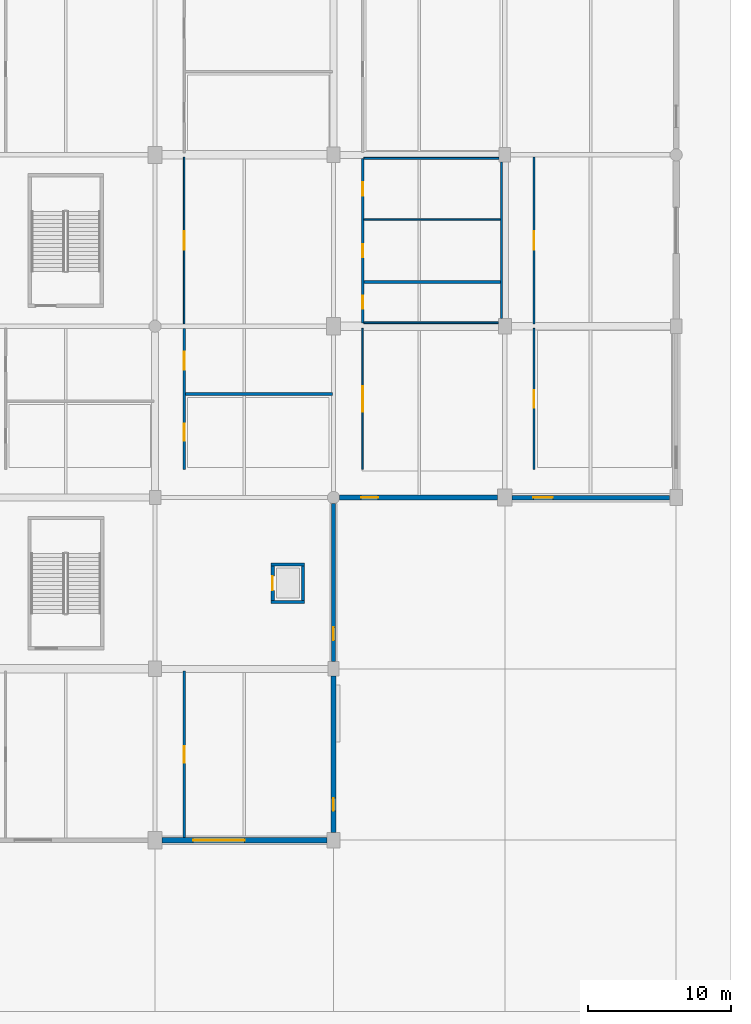
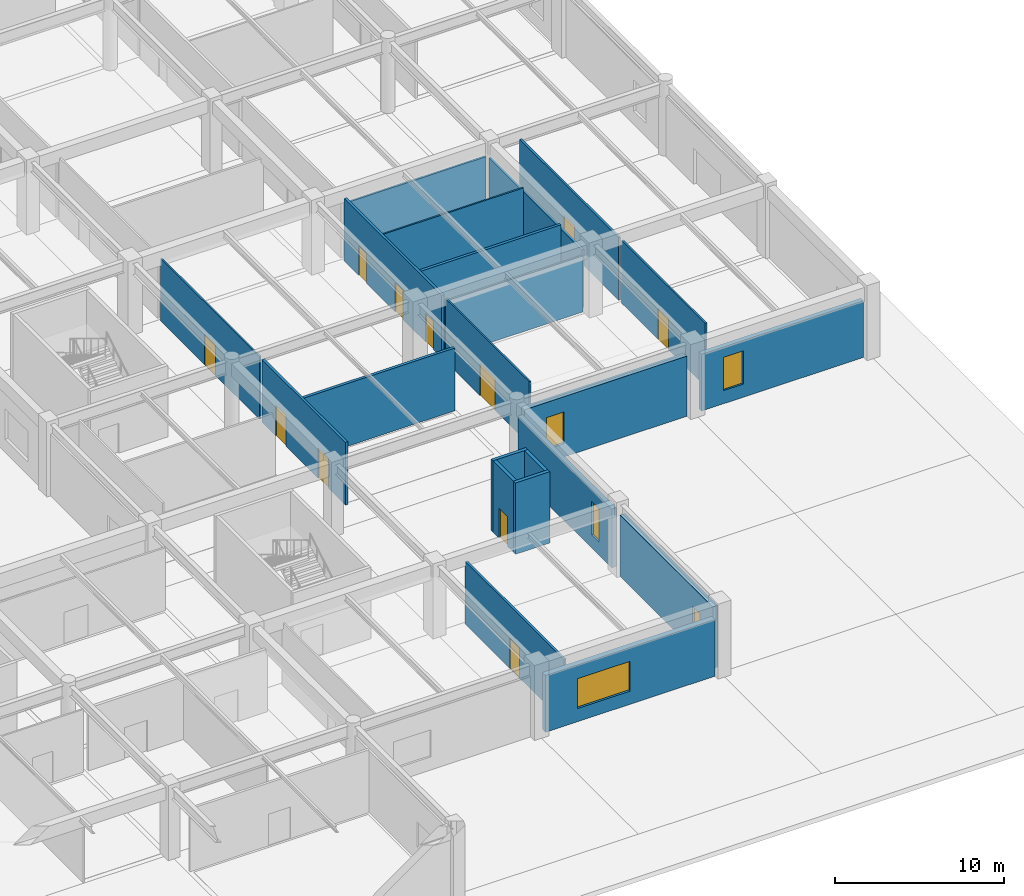
# One storey, part 24 of 69: 22 walls, 11 doors, 5 windows, 16 openings.
"""IFC4 building model written with IfcOpenShell, lengths in metres."""

from ifc_helpers import new_model, si_unit, direction, frame, frame_2d, origin, place, context, subcontext, project, spatial, rectangle, extrude, material, layer, layer_set, type_object, element, fill, save


model = new_model("IFC4")

# Units and contexts
model_context = context("Model", 3, precision=1e-05, world=origin(), true_north=direction((0.0, 1.0)))
body_context = subcontext(model_context, "Body", "Model", "MODEL_VIEW")
ifc_project = project(units=[si_unit("LENGTHUNIT", "METRE"), si_unit("AREAUNIT", "SQUARE_METRE"), si_unit("VOLUMEUNIT", "CUBIC_METRE"), si_unit("PLANEANGLEUNIT", "RADIAN"), si_unit("MASSUNIT", "GRAM", prefix="KILO")], contexts=[model_context])

# Site, building, storey
site_placement = place(None, origin())
site = spatial("IfcSite", under=ifc_project, at=site_placement, CompositionType="ELEMENT")
building_placement = place(site_placement, origin())
building = spatial("IfcBuilding", under=site, at=building_placement, Name="Kazenohara Klinker Stadium", CompositionType="ELEMENT")
storey_placement = place(building_placement, origin())
storey = spatial("IfcBuildingStorey", under=building, at=storey_placement, Name="L00", CompositionType="ELEMENT", Elevation=0.0)

# Walls
ifc_material_1 = material(Name="Concrete C40/50", Category="concrete")
ifc_layer_1 = layer(ifc_material_1, 0.22998046875)
ifc_layer_set_1 = layer_set([ifc_layer_1], Name="Concrete C40/50")
wall_type_1 = type_object("IfcWallType", Name="WAL-CORE-230", PredefinedType="SHEAR", material=ifc_layer_set_1)
for number, where, z_axis, x_axis, name in (
    (1, (195.6201171875, 28.68505859375, 0.0), (0.0, 0.0, 1.0), (1.0, 0.0, 0.0), "Elevator shaft wall LP06 L00 South"),
    (2, (195.6201171875, 31.31494140625, 0.0), (0.0, 0.0, 1.0), (1.0, 0.0, 0.0), "Elevator shaft wall LP06 L00 North"),
):
    element("IfcWall", number, at=place(storey_placement, frame(where, z_axis=z_axis, x_axis=x_axis)), inside=storey, type_object=wall_type_1, Name=name, PredefinedType="SHEAR", context=body_context, shape_type="SweptSolid", body=[
        extrude(rectangle(XDim=2.35986328125, YDim=0.22998046875, at=frame_2d((1.179931640625, 0.0))), origin(), (0.0, 0.0, 1.0), 5.139892578125),
    ])

# Wall, opening, door
wall_1_placement = place(storey_placement, frame((195.735107421875, 28.800048828125, 0.0), z_axis=(0.0, 0.0, 1.0), x_axis=(0.0, 1.0, 0.0)))
wall_1 = element("IfcWall", 3, at=wall_1_placement, inside=storey, type_object=wall_type_1, Name="Elevator shaft wall LP06 L00 West", PredefinedType="SHEAR", context=body_context, shape_type="SweptSolid", body=[
    extrude(rectangle(XDim=2.39990234375, YDim=0.22998046875, at=frame_2d((1.199951171875, 0.0))), origin(), (0.0, 0.0, 1.0), 5.139892578125),
])
opening_1_placement = place(wall_1_placement, frame((0.699951171875, 0.0, 0.0)))
opening_1 = element("IfcOpeningElement", 4, at=opening_1_placement, cuts=wall_1, Name="Opening LD02", PredefinedType="OPENING", context=body_context, shape_type="SweptSolid", body=[
    extrude(rectangle(XDim=1.0, YDim=2.14990234375, at=frame_2d((0.5, 1.074951171875))), frame((0.0, 0.125, 0.0), z_axis=(0.0, -1.0, 0.0), x_axis=(1.0, 0.0, 0.0)), (0.0, 0.0, 1.0), 0.25),
])
ifc_material_2 = material(Name="Stainless steel sliding landing door", Category="steel")
door_type_1 = type_object("IfcDoorType", Name="DR-LD02-1000x2150", OperationType="NOTDEFINED", PredefinedType="DOOR", material=ifc_material_2)
door_1_placement = place(opening_1_placement, origin())
door_1 = element("IfcDoor", 5, at=door_1_placement, inside=storey, type_object=door_type_1, Name="Elevator sliding landing door LP06-L00", OperationType="DOUBLE_DOOR_SLIDING", OverallHeight=2.14990234375, OverallWidth=1.0, PredefinedType="DOOR", context=body_context, shape_type="SweptSolid", body=[
    extrude(rectangle(XDim=1.0, YDim=2.14990234375, at=frame_2d((0.5, 1.074951171875))), frame((0.0, 0.02490234375, 0.0), z_axis=(0.0, -1.0, 0.0), x_axis=(1.0, 0.0, 0.0)), (0.0, 0.0, 1.0), 0.050048828125),
])
fill(opening_1, door_1)

# Wall
wall_2_placement = place(storey_placement, frame((197.864990234375, 28.800048828125, 0.0), z_axis=(0.0, 0.0, 1.0), x_axis=(0.0, 1.0, 0.0)))
element("IfcWall", 6, at=wall_2_placement, inside=storey, type_object=wall_type_1, Name="Elevator shaft wall LP06 L00 East", PredefinedType="SHEAR", context=body_context, shape_type="SweptSolid", body=[
    extrude(rectangle(XDim=2.39990234375, YDim=0.22998046875, at=frame_2d((1.199951171875, 0.0))), origin(), (0.0, 0.0, 1.0), 5.139892578125),
])

# Wall, opening, window
ifc_material_3 = material(Name="Clinker brick masonry", Category="masonry")
ifc_layer_2 = layer(ifc_material_3, 0.31005859375)
ifc_layer_set_2 = layer_set([ifc_layer_2], Name="Clinker brick masonry")
wall_type_2 = type_object("IfcWallType", Name="WAL-EXT-CB310", PredefinedType="SOLIDWALL", material=ifc_layer_set_2)
wall_3_placement = place(storey_placement, frame((200.0, 24.50390625, 0.0), z_axis=(0.0, 0.0, 1.0), x_axis=(0.0, 1.0, 0.0)))
wall_3 = element("IfcWall", 7, at=wall_3_placement, inside=storey, type_object=wall_type_2, Name="Clinker brick cavity wall EW05 L00 Y16-2", PredefinedType="SOLIDWALL", context=body_context, shape_type="SweptSolid", body=[
    extrude(rectangle(XDim=11.067138671875, YDim=0.31005859375, at=frame_2d((5.53369140625, 0.0))), origin(), (0.0, 0.0, 1.0), 4.239990234375),
])
opening_2_placement = place(wall_3_placement, frame((1.5, 0.0, 0.949951171875)))
opening_2 = element("IfcOpeningElement", 8, at=opening_2_placement, cuts=wall_3, Name="Opening W02", PredefinedType="OPENING", context=body_context, shape_type="SweptSolid", body=[
    extrude(rectangle(XDim=0.89990234375, YDim=2.39990234375, at=frame_2d((0.449951171875, 1.199951171875))), frame((0.0, 0.1650390625, 0.0), z_axis=(0.0, -1.0, 0.0), x_axis=(1.0, 0.0, 0.0)), (0.0, 0.0, 1.0), 0.330078125),
])
ifc_material_4 = material(Name="Dark bronze aluminium frame and triple glazing", Category="aluminium")
window_type_1 = type_object("IfcWindowType", Name="WIN-AS-02", PartitioningType="SINGLE_PANEL", PredefinedType="WINDOW", material=ifc_material_4)
window_1_placement = place(opening_2_placement, origin())
window_1 = element("IfcWindow", 9, at=window_1_placement, inside=storey, type_object=window_type_1, Name="Horizontal-mullion ladder window W02 L00 Y16-2", OverallHeight=2.39990234375, OverallWidth=0.89990234375, PartitioningType="SINGLE_PANEL", PredefinedType="WINDOW", context=body_context, shape_type="SweptSolid", body=[
    extrude(rectangle(XDim=0.89990234375, YDim=2.39990234375, at=frame_2d((0.449951171875, 1.199951171875))), frame((0.0, 0.030029296875, 0.0), z_axis=(0.0, -1.0, 0.0), x_axis=(1.0, 0.0, 0.0)), (0.0, 0.0, 1.0), 0.06005859375),
])
fill(opening_2, window_1)

wall_4_placement = place(storey_placement, frame((212.50390625, 36.0, 0.0), z_axis=(0.0, 0.0, 1.0), x_axis=(1.0, 0.0, 0.0)))
wall_4 = element("IfcWall", 10, at=wall_4_placement, inside=storey, type_object=wall_type_2, Name="Clinker brick cavity wall EW05 L00 X17-3", PredefinedType="SOLIDWALL", context=body_context, shape_type="SweptSolid", body=[
    extrude(rectangle(XDim=11.0419921875, YDim=0.31005859375, at=frame_2d((5.52099609375, 0.0))), origin(), (0.0, 0.0, 1.0), 4.090087890625),
])
opening_3_placement = place(wall_4_placement, frame((1.5, 0.0, 0.949951171875)))
opening_3 = element("IfcOpeningElement", 11, at=opening_3_placement, cuts=wall_4, Name="Opening W08", PredefinedType="OPENING", context=body_context, shape_type="SweptSolid", body=[
    extrude(rectangle(XDim=1.35009765625, YDim=2.39990234375, at=frame_2d((0.675048828125, 1.199951171875))), frame((0.0, 0.1650390625, 0.0), z_axis=(0.0, -1.0, 0.0), x_axis=(1.0, 0.0, 0.0)), (0.0, 0.0, 1.0), 0.330078125),
])
window_type_2 = type_object("IfcWindowType", Name="WIN-AS-08", PartitioningType="SINGLE_PANEL", PredefinedType="WINDOW", material=ifc_material_4)
window_2_placement = place(opening_3_placement, origin())
window_2 = element("IfcWindow", 12, at=window_2_placement, inside=storey, type_object=window_type_2, Name="Horizontal-mullion ladder window W08 L00 X17-3", OverallHeight=2.39990234375, OverallWidth=1.35009765625, PartitioningType="SINGLE_PANEL", PredefinedType="WINDOW", context=body_context, shape_type="SweptSolid", body=[
    extrude(rectangle(XDim=1.35009765625, YDim=2.39990234375, at=frame_2d((0.675048828125, 1.199951171875))), frame((0.0, 0.030029296875, 0.0), z_axis=(0.0, -1.0, 0.0), x_axis=(1.0, 0.0, 0.0)), (0.0, 0.0, 1.0), 0.06005859375),
])
fill(opening_3, window_2)

ifc_layer_3 = layer(ifc_material_3, 0.340087890625)
ifc_layer_set_3 = layer_set([ifc_layer_3], Name="Clinker brick masonry")
wall_type_3 = type_object("IfcWallType", Name="WAL-EXT-CB340", PredefinedType="SOLIDWALL", material=ifc_layer_set_3)
wall_5_placement = place(storey_placement, frame((200.0, 12.553955078125, 0.0), z_axis=(0.0, 0.0, 1.0), x_axis=(0.0, 1.0, 0.0)))
wall_5 = element("IfcWall", 13, at=wall_5_placement, inside=storey, type_object=wall_type_3, Name="Clinker brick cavity wall EW04 L00 Y16-1", PredefinedType="SOLIDWALL", context=body_context, shape_type="SweptSolid", body=[
    extrude(rectangle(XDim=10.942138671875, YDim=0.340087890625, at=frame_2d((5.47119140625, 0.0))), origin(), (0.0, 0.0, 1.0), 4.43994140625),
])
opening_4_placement = place(wall_5_placement, frame((1.5, 0.0, 0.949951171875)))
opening_4 = element("IfcOpeningElement", 14, at=opening_4_placement, cuts=wall_5, Name="Opening W01", PredefinedType="OPENING", context=body_context, shape_type="SweptSolid", body=[
    extrude(rectangle(XDim=0.89990234375, YDim=2.10009765625, at=frame_2d((0.449951171875, 1.050048828125))), frame((0.0, 0.18017578125, 0.0), z_axis=(0.0, -1.0, 0.0), x_axis=(1.0, 0.0, 0.0)), (0.0, 0.0, 1.0), 0.360107421875),
])
window_type_3 = type_object("IfcWindowType", Name="WIN-AS-01", PartitioningType="SINGLE_PANEL", PredefinedType="WINDOW", material=ifc_material_4)
window_3_placement = place(opening_4_placement, origin())
window_3 = element("IfcWindow", 15, at=window_3_placement, inside=storey, type_object=window_type_3, Name="Horizontal-mullion ladder window W01 L00 Y16-1", OverallHeight=2.10009765625, OverallWidth=0.89990234375, PartitioningType="SINGLE_PANEL", PredefinedType="WINDOW", context=body_context, shape_type="SweptSolid", body=[
    extrude(rectangle(XDim=0.89990234375, YDim=2.10009765625, at=frame_2d((0.449951171875, 1.050048828125))), frame((0.0, 0.030029296875, 0.0), z_axis=(0.0, -1.0, 0.0), x_axis=(1.0, 0.0, 0.0)), (0.0, 0.0, 1.0), 0.06005859375),
])
fill(opening_4, window_3)

ifc_layer_4 = layer(ifc_material_3, 0.3701171875)
ifc_layer_set_4 = layer_set([ifc_layer_4], Name="Clinker brick masonry")
wall_type_4 = type_object("IfcWallType", Name="WAL-EXT-CB370", PredefinedType="SOLIDWALL", material=ifc_layer_set_4)
wall_6_placement = place(storey_placement, frame((188.00390625, 12.0, 0.0), z_axis=(0.0, 0.0, 1.0), x_axis=(1.0, 0.0, 0.0)))
wall_6 = element("IfcWall", 16, at=wall_6_placement, inside=storey, type_object=wall_type_4, Name="Clinker brick cavity wall EW03 L00 X15-1", PredefinedType="SOLIDWALL", context=body_context, shape_type="SweptSolid", body=[
    extrude(rectangle(XDim=11.5419921875, YDim=0.3701171875, at=frame_2d((5.77099609375, 0.0))), origin(), (0.0, 0.0, 1.0), 4.090087890625),
])
opening_5_placement = place(wall_6_placement, frame((2.166015625, 0.0, 0.949951171875)))
opening_5 = element("IfcOpeningElement", 17, at=opening_5_placement, cuts=wall_6, Name="Opening W36", PredefinedType="OPENING", context=body_context, shape_type="SweptSolid", body=[
    extrude(rectangle(XDim=3.60009765625, YDim=2.14990234375, at=frame_2d((1.800048828125, 1.074951171875))), frame((0.0, 0.195068359375, 0.0), z_axis=(0.0, -1.0, 0.0), x_axis=(1.0, 0.0, 0.0)), (0.0, 0.0, 1.0), 0.39013671875),
])
window_type_4 = type_object("IfcWindowType", Name="WIN-AS-36", PartitioningType="SINGLE_PANEL", PredefinedType="WINDOW", material=ifc_material_4)
window_4_placement = place(opening_5_placement, origin())
window_4 = element("IfcWindow", 18, at=window_4_placement, inside=storey, type_object=window_type_4, Name="Horizontal-mullion ladder window W36 L00 X15-1", OverallHeight=2.14990234375, OverallWidth=3.60009765625, PartitioningType="SINGLE_PANEL", PredefinedType="WINDOW", context=body_context, shape_type="SweptSolid", body=[
    extrude(rectangle(XDim=3.60009765625, YDim=2.14990234375, at=frame_2d((1.800048828125, 1.074951171875))), frame((0.0, 0.030029296875, 0.0), z_axis=(0.0, -1.0, 0.0), x_axis=(1.0, 0.0, 0.0)), (0.0, 0.0, 1.0), 0.06005859375),
])
fill(opening_5, window_4)

wall_7_placement = place(storey_placement, frame((200.428955078125, 36.0, 0.0), z_axis=(0.0, 0.0, 1.0), x_axis=(1.0, 0.0, 0.0)))
wall_7 = element("IfcWall", 19, at=wall_7_placement, inside=storey, type_object=wall_type_4, Name="Clinker brick cavity wall EW03 L00 X16-3", PredefinedType="SOLIDWALL", context=body_context, shape_type="SweptSolid", body=[
    extrude(rectangle(XDim=11.067138671875, YDim=0.3701171875, at=frame_2d((5.53369140625, 0.0))), origin(), (0.0, 0.0, 1.0), 4.340087890625),
])
opening_6_placement = place(wall_7_placement, frame((1.5, 0.0, 0.949951171875)))
opening_6 = element("IfcOpeningElement", 20, at=opening_6_placement, cuts=wall_7, Name="Opening W06", PredefinedType="OPENING", context=body_context, shape_type="SweptSolid", body=[
    extrude(rectangle(XDim=1.199951171875, YDim=2.300048828125, at=frame_2d((0.60009765625, 1.14990234375))), frame((0.0, 0.195068359375, 0.0), z_axis=(0.0, -1.0, 0.0), x_axis=(1.0, 0.0, 0.0)), (0.0, 0.0, 1.0), 0.39013671875),
])
window_type_5 = type_object("IfcWindowType", Name="WIN-AS-06", PartitioningType="SINGLE_PANEL", PredefinedType="WINDOW", material=ifc_material_4)
window_5_placement = place(opening_6_placement, origin())
window_5 = element("IfcWindow", 21, at=window_5_placement, inside=storey, type_object=window_type_5, Name="Horizontal-mullion ladder window W06 L00 X16-3", OverallHeight=2.300048828125, OverallWidth=1.199951171875, PartitioningType="SINGLE_PANEL", PredefinedType="WINDOW", context=body_context, shape_type="SweptSolid", body=[
    extrude(rectangle(XDim=1.199951171875, YDim=2.300048828125, at=frame_2d((0.60009765625, 1.14990234375))), frame((0.0, 0.030029296875, 0.0), z_axis=(0.0, -1.0, 0.0), x_axis=(1.0, 0.0, 0.0)), (0.0, 0.0, 1.0), 0.06005859375),
])
fill(opening_6, window_5)

# Wall, opening, door
ifc_material_5 = material(Name="Fire-rated gypsum board on acoustic studs", Category="gypsum")
ifc_layer_5 = layer(ifc_material_5, 0.110107421875)
ifc_layer_set_5 = layer_set([ifc_layer_5], Name="Fire-rated gypsum board on acoustic studs")
wall_type_5 = type_object("IfcWallType", Name="WAL-INT-P110", PredefinedType="PARTITIONING", material=ifc_layer_set_5)
wall_8_placement = place(storey_placement, frame((189.5400390625, 48.159912109375, 0.0), z_axis=(0.0, 0.0, 1.0), x_axis=(0.0, 1.0, 0.0)))
wall_8 = element("IfcWall", 22, at=wall_8_placement, inside=storey, type_object=wall_type_5, Name="Interior partition wall PT01 SPC-L00-15-04-1-1", PredefinedType="PARTITIONING", context=body_context, shape_type="SweptSolid", body=[
    extrude(rectangle(XDim=11.68017578125, YDim=0.110107421875, at=frame_2d((5.840087890625, 0.0))), origin(), (0.0, 0.0, 1.0), 4.52001953125),
])
opening_7_placement = place(wall_8_placement, frame((6.47509765625, 0.0, 0.0), z_axis=(0.0, 0.0, 1.0), x_axis=(-1.0, 0.0, 0.0)))
opening_7 = element("IfcOpeningElement", 23, at=opening_7_placement, cuts=wall_8, Name="Opening ID14", PredefinedType="OPENING", context=body_context, shape_type="SweptSolid", body=[
    extrude(rectangle(XDim=1.27001953125, YDim=2.199951171875, at=frame_2d((0.635009765625, 1.10009765625))), frame((0.0, 0.06494140625, 0.0), z_axis=(0.0, -1.0, 0.0), x_axis=(1.0, 0.0, 0.0)), (0.0, 0.0, 1.0), 0.130126953125),
])
ifc_material_6 = material(Name="Solid-core Hokkaido oak fire door", Category="wood")
door_type_2 = type_object("IfcDoorType", Name="DR-INT-14", OperationType="NOTDEFINED", PredefinedType="DOOR", material=ifc_material_6)
door_2_placement = place(opening_7_placement, origin())
door_2 = element("IfcDoor", 24, at=door_2_placement, inside=storey, type_object=door_type_2, Name="Interior door ID14 Supporter Merchandising Retail Shop L00-1504A", OperationType="SINGLE_SWING_LEFT", OverallHeight=2.199951171875, OverallWidth=1.27001953125, PredefinedType="DOOR", context=body_context, shape_type="SweptSolid", body=[
    extrude(rectangle(XDim=1.27001953125, YDim=2.199951171875, at=frame_2d((0.635009765625, 1.10009765625))), frame((0.0, 0.02490234375, 0.0), z_axis=(0.0, -1.0, 0.0), x_axis=(1.0, 0.0, 0.0)), (0.0, 0.0, 1.0), 0.050048828125),
])
fill(opening_7, door_2)

wall_9_placement = place(storey_placement, frame((202.0400390625, 37.969970703125, 0.0), z_axis=(0.0, 0.0, 1.0), x_axis=(0.0, 1.0, 0.0)))
wall_9 = element("IfcWall", 25, at=wall_9_placement, inside=storey, type_object=wall_type_5, Name="Interior partition wall PT01 SPC-L00-16-03-1-1", PredefinedType="PARTITIONING", context=body_context, shape_type="SweptSolid", body=[
    extrude(rectangle(XDim=9.8701171875, YDim=0.110107421875, at=frame_2d((4.93505859375, 0.0))), origin(), (0.0, 0.0, 1.0), 4.52001953125),
])
opening_8_placement = place(wall_9_placement, frame((5.81494140625, 0.0, 0.0), z_axis=(0.0, 0.0, 1.0), x_axis=(-1.0, 0.0, 0.0)))
opening_8 = element("IfcOpeningElement", 26, at=opening_8_placement, cuts=wall_9, Name="Opening ID26", PredefinedType="OPENING", context=body_context, shape_type="SweptSolid", body=[
    extrude(rectangle(XDim=1.760009765625, YDim=2.300048828125, at=frame_2d((0.8798828125, 1.14990234375))), frame((0.0, 0.06494140625, 0.0), z_axis=(0.0, -1.0, 0.0), x_axis=(1.0, 0.0, 0.0)), (0.0, 0.0, 1.0), 0.130126953125),
])
ifc_material_7 = material(Name="Painted steel plant fire door", Category="steel")
door_type_3 = type_object("IfcDoorType", Name="DR-INT-26", OperationType="NOTDEFINED", PredefinedType="DOOR", material=ifc_material_7)
door_3_placement = place(opening_8_placement, origin())
door_3 = element("IfcDoor", 27, at=door_3_placement, inside=storey, type_object=door_type_3, Name="Interior door ID26 Civic Stadium Heritage Museum Exhibition Gallery L00-1603A", OperationType="SINGLE_SWING_LEFT", OverallHeight=2.300048828125, OverallWidth=1.760009765625, PredefinedType="DOOR", context=body_context, shape_type="SweptSolid", body=[
    extrude(rectangle(XDim=1.760009765625, YDim=2.300048828125, at=frame_2d((0.8798828125, 1.14990234375))), frame((0.0, 0.02490234375, 0.0), z_axis=(0.0, -1.0, 0.0), x_axis=(1.0, 0.0, 0.0)), (0.0, 0.0, 1.0), 0.050048828125),
])
fill(opening_8, door_3)

# Walls
wall_10_placement = place(storey_placement, frame((202.1298828125, 55.461181640625, 0.0), z_axis=(0.0, 0.0, 1.0), x_axis=(1.0, 0.0, 0.0)))
element("IfcWall", 28, at=wall_10_placement, inside=storey, type_object=wall_type_5, Name="Interior partition wall PT01 SPC-L00-16-04-1-6", PredefinedType="PARTITIONING", context=body_context, shape_type="SweptSolid", body=[
    extrude(rectangle(XDim=9.550048828125, YDim=0.110107421875, at=frame_2d((4.77490234375, 0.0))), origin(), (0.0, 0.0, 1.0), 4.52001953125),
])
ifc_layer_6 = layer(ifc_material_5, 0.1201171875)
ifc_layer_set_6 = layer_set([ifc_layer_6], Name="Fire-rated gypsum board on acoustic studs")
wall_type_6 = type_object("IfcWallType", Name="WAL-INT-P120", PredefinedType="PARTITIONING", material=ifc_layer_set_6)
wall_11_placement = place(storey_placement, frame((202.1298828125, 48.239990234375, 0.0), z_axis=(0.0, 0.0, 1.0), x_axis=(1.0, 0.0, 0.0)))
element("IfcWall", 29, at=wall_11_placement, inside=storey, type_object=wall_type_6, Name="Interior partition wall PT02 SPC-L00-16-04-1-1", PredefinedType="PARTITIONING", context=body_context, shape_type="SweptSolid", body=[
    extrude(rectangle(XDim=9.416015625, YDim=0.1201171875, at=frame_2d((4.7080078125, 0.0))), origin(), (0.0, 0.0, 1.0), 4.050048828125),
])

# Wall, opening, door
wall_12_placement = place(storey_placement, frame((214.0400390625, 37.969970703125, 0.0), z_axis=(0.0, 0.0, 1.0), x_axis=(0.0, 1.0, 0.0)))
wall_12 = element("IfcWall", 30, at=wall_12_placement, inside=storey, type_object=wall_type_6, Name="Interior partition wall PT02 SPC-L00-17-03-1-1", PredefinedType="PARTITIONING", context=body_context, shape_type="SweptSolid", body=[
    extrude(rectangle(XDim=9.8701171875, YDim=0.1201171875, at=frame_2d((4.93505859375, 0.0))), origin(), (0.0, 0.0, 1.0), 4.52001953125),
])
opening_9_placement = place(wall_12_placement, frame((5.554931640625, 0.0, 0.0), z_axis=(0.0, 0.0, 1.0), x_axis=(-1.0, 0.0, 0.0)))
opening_9 = element("IfcOpeningElement", 31, at=opening_9_placement, cuts=wall_12, Name="Opening ID13", PredefinedType="OPENING", context=body_context, shape_type="SweptSolid", body=[
    extrude(rectangle(XDim=1.239990234375, YDim=2.219970703125, at=frame_2d((0.6201171875, 1.10986328125))), frame((0.0, 0.070068359375, 0.0), z_axis=(0.0, -1.0, 0.0), x_axis=(1.0, 0.0, 0.0)), (0.0, 0.0, 1.0), 0.14013671875),
])
door_type_4 = type_object("IfcDoorType", Name="DR-INT-13", OperationType="NOTDEFINED", PredefinedType="DOOR", material=ifc_material_6)
door_4_placement = place(opening_9_placement, origin())
door_4 = element("IfcDoor", 32, at=door_4_placement, inside=storey, type_object=door_type_4, Name="Interior door ID13 Spectator First-Aid Medical Clinic L00-1703A", OperationType="SINGLE_SWING_RIGHT", OverallHeight=2.219970703125, OverallWidth=1.239990234375, PredefinedType="DOOR", context=body_context, shape_type="SweptSolid", body=[
    extrude(rectangle(XDim=1.239990234375, YDim=2.219970703125, at=frame_2d((0.6201171875, 1.10986328125))), frame((0.0, 0.02490234375, 0.0), z_axis=(0.0, -1.0, 0.0), x_axis=(1.0, 0.0, 0.0)), (0.0, 0.0, 1.0), 0.050048828125),
])
fill(opening_9, door_4)

# Wall
ifc_layer_7 = layer(ifc_material_5, 0.139892578125)
ifc_layer_set_7 = layer_set([ifc_layer_7], Name="Fire-rated gypsum board on acoustic studs")
wall_type_7 = type_object("IfcWallType", Name="WAL-INT-P140", PredefinedType="PARTITIONING", material=ifc_layer_set_7)
wall_13_placement = place(storey_placement, frame((202.1298828125, 59.760009765625, 0.0), z_axis=(0.0, 0.0, 1.0), x_axis=(1.0, 0.0, 0.0)))
element("IfcWall", 33, at=wall_13_placement, inside=storey, type_object=wall_type_7, Name="Interior partition wall PT03 SPC-L00-16-04-1-2", PredefinedType="PARTITIONING", context=body_context, shape_type="SweptSolid", body=[
    extrude(rectangle(XDim=9.466064453125, YDim=0.139892578125, at=frame_2d((4.73291015625, 0.0))), origin(), (0.0, 0.0, 1.0), 4.199951171875),
])

# Wall, opening, door
wall_14_placement = place(storey_placement, frame((214.0400390625, 48.159912109375, 0.0), z_axis=(0.0, 0.0, 1.0), x_axis=(0.0, 1.0, 0.0)))
wall_14 = element("IfcWall", 34, at=wall_14_placement, inside=storey, type_object=wall_type_7, Name="Interior partition wall PT03 SPC-L00-17-04-1-1", PredefinedType="PARTITIONING", context=body_context, shape_type="SweptSolid", body=[
    extrude(rectangle(XDim=11.68017578125, YDim=0.139892578125, at=frame_2d((5.840087890625, 0.0))), origin(), (0.0, 0.0, 1.0), 4.52001953125),
])
opening_10_placement = place(wall_14_placement, frame((6.47509765625, 0.0, 0.0), z_axis=(0.0, 0.0, 1.0), x_axis=(-1.0, 0.0, 0.0)))
opening_10 = element("IfcOpeningElement", 35, at=opening_10_placement, cuts=wall_14, Name="Opening ID14", PredefinedType="OPENING", context=body_context, shape_type="SweptSolid", body=[
    extrude(rectangle(XDim=1.27001953125, YDim=2.199951171875, at=frame_2d((0.635009765625, 1.10009765625))), frame((0.0, 0.080078125, 0.0), z_axis=(0.0, -1.0, 0.0), x_axis=(1.0, 0.0, 0.0)), (0.0, 0.0, 1.0), 0.159912109375),
])
door_5_placement = place(opening_10_placement, origin())
door_5 = element("IfcDoor", 36, at=door_5_placement, inside=storey, type_object=door_type_2, Name="Interior door ID14 Civic Stadium Heritage Museum Exhibition Gallery L00-1704A", OperationType="SINGLE_SWING_LEFT", OverallHeight=2.199951171875, OverallWidth=1.27001953125, PredefinedType="DOOR", context=body_context, shape_type="SweptSolid", body=[
    extrude(rectangle(XDim=1.27001953125, YDim=2.199951171875, at=frame_2d((0.635009765625, 1.10009765625))), frame((0.0, 0.02490234375, 0.0), z_axis=(0.0, -1.0, 0.0), x_axis=(1.0, 0.0, 0.0)), (0.0, 0.0, 1.0), 0.050048828125),
])
fill(opening_10, door_5)

ifc_layer_8 = layer(ifc_material_5, 0.14990234375)
ifc_layer_set_8 = layer_set([ifc_layer_8], Name="Fire-rated gypsum board on acoustic studs")
wall_type_8 = type_object("IfcWallType", Name="WAL-INT-P150", PredefinedType="PARTITIONING", material=ifc_layer_set_8)
wall_15_placement = place(storey_placement, frame((189.5400390625, 12.18701171875, 0.0), z_axis=(0.0, 0.0, 1.0), x_axis=(0.0, 1.0, 0.0)))
wall_15 = element("IfcWall", 37, at=wall_15_placement, inside=storey, type_object=wall_type_8, Name="Interior partition wall PT04 SPC-L00-15-01-1-1", PredefinedType="PARTITIONING", context=body_context, shape_type="SweptSolid", body=[
    extrude(rectangle(XDim=11.653076171875, YDim=0.14990234375, at=frame_2d((5.82666015625, 0.0))), origin(), (0.0, 0.0, 1.0), 4.52001953125),
])
opening_11_placement = place(wall_15_placement, frame((6.40283203125, 0.0, 0.0), z_axis=(0.0, 0.0, 1.0), x_axis=(-1.0, 0.0, 0.0)))
opening_11 = element("IfcOpeningElement", 38, at=opening_11_placement, cuts=wall_15, Name="Opening ID11", PredefinedType="OPENING", context=body_context, shape_type="SweptSolid", body=[
    extrude(rectangle(XDim=1.179931640625, YDim=2.199951171875, at=frame_2d((0.58984375, 1.10009765625))), frame((0.0, 0.0849609375, 0.0), z_axis=(0.0, -1.0, 0.0), x_axis=(1.0, 0.0, 0.0)), (0.0, 0.0, 1.0), 0.169921875),
])
door_type_5 = type_object("IfcDoorType", Name="DR-INT-11", OperationType="NOTDEFINED", PredefinedType="DOOR", material=ifc_material_6)
door_6_placement = place(opening_11_placement, origin())
door_6 = element("IfcDoor", 39, at=door_6_placement, inside=storey, type_object=door_type_5, Name="Interior door ID11 Spectator First-Aid Medical Clinic L00-1501A", OperationType="SINGLE_SWING_RIGHT", OverallHeight=2.199951171875, OverallWidth=1.179931640625, PredefinedType="DOOR", context=body_context, shape_type="SweptSolid", body=[
    extrude(rectangle(XDim=1.179931640625, YDim=2.199951171875, at=frame_2d((0.58984375, 1.10009765625))), frame((0.0, 0.02490234375, 0.0), z_axis=(0.0, -1.0, 0.0), x_axis=(1.0, 0.0, 0.0)), (0.0, 0.0, 1.0), 0.050048828125),
])
fill(opening_11, door_6)

# Wall
wall_16_placement = place(storey_placement, frame((211.760009765625, 48.553955078125, 0.0), z_axis=(0.0, 0.0, 1.0), x_axis=(0.0, 1.0, 0.0)))
element("IfcWall", 40, at=wall_16_placement, inside=storey, type_object=wall_type_8, Name="Interior partition wall PT04 SPC-L00-16-04-1-3", PredefinedType="PARTITIONING", context=body_context, shape_type="SweptSolid", body=[
    extrude(rectangle(XDim=10.942138671875, YDim=0.14990234375, at=frame_2d((5.47119140625, 0.0))), origin(), (0.0, 0.0, 1.0), 4.199951171875),
])

# Wall, openings, doors
ifc_layer_9 = layer(ifc_material_5, 0.169921875)
ifc_layer_set_9 = layer_set([ifc_layer_9], Name="Fire-rated gypsum board on acoustic studs")
wall_type_9 = type_object("IfcWallType", Name="WAL-INT-P170", PredefinedType="PARTITIONING", material=ifc_layer_set_9)
wall_17_placement = place(storey_placement, frame((189.5400390625, 37.969970703125, 0.0), z_axis=(0.0, 0.0, 1.0), x_axis=(0.0, 1.0, 0.0)))
wall_17 = element("IfcWall", 41, at=wall_17_placement, inside=storey, type_object=wall_type_9, Name="Interior partition wall PT05 SPC-L00-15-03-1-1", PredefinedType="PARTITIONING", context=body_context, shape_type="SweptSolid", body=[
    extrude(rectangle(XDim=9.8701171875, YDim=0.169921875, at=frame_2d((4.93505859375, 0.0))), origin(), (0.0, 0.0, 1.0), 4.52001953125),
])
opening_12_placement = place(wall_17_placement, frame((3.205322265625, 0.0, 0.0), z_axis=(0.0, 0.0, 1.0), x_axis=(-1.0, 0.0, 0.0)))
opening_12 = element("IfcOpeningElement", 42, at=opening_12_placement, cuts=wall_17, Name="Opening ID12", PredefinedType="OPENING", context=body_context, shape_type="SweptSolid", body=[
    extrude(rectangle(XDim=1.2099609375, YDim=2.179931640625, at=frame_2d((0.60498046875, 1.08984375))), frame((0.0, 0.094970703125, 0.0), z_axis=(0.0, -1.0, 0.0), x_axis=(1.0, 0.0, 0.0)), (0.0, 0.0, 1.0), 0.18994140625),
])
opening_13_placement = place(wall_17_placement, frame((8.2353515625, 0.0, 0.0), z_axis=(0.0, 0.0, 1.0), x_axis=(-1.0, 0.0, 0.0)))
opening_13 = element("IfcOpeningElement", 43, at=opening_13_placement, cuts=wall_17, Name="Opening ID13", PredefinedType="OPENING", context=body_context, shape_type="SweptSolid", body=[
    extrude(rectangle(XDim=1.239990234375, YDim=2.219970703125, at=frame_2d((0.6201171875, 1.10986328125))), frame((0.0, 0.094970703125, 0.0), z_axis=(0.0, -1.0, 0.0), x_axis=(1.0, 0.0, 0.0)), (0.0, 0.0, 1.0), 0.18994140625),
])
door_type_6 = type_object("IfcDoorType", Name="DR-INT-12", OperationType="NOTDEFINED", PredefinedType="DOOR", material=ifc_material_6)
door_7_placement = place(opening_12_placement, origin())
door_7 = element("IfcDoor", 44, at=door_7_placement, inside=storey, type_object=door_type_6, Name="Interior door ID12 Civic Stadium Heritage Museum Exhibition Gallery L00-1503A", OperationType="SINGLE_SWING_LEFT", OverallHeight=2.179931640625, OverallWidth=1.2099609375, PredefinedType="DOOR", context=body_context, shape_type="SweptSolid", body=[
    extrude(rectangle(XDim=1.2099609375, YDim=2.179931640625, at=frame_2d((0.60498046875, 1.08984375))), frame((0.0, 0.02490234375, 0.0), z_axis=(0.0, -1.0, 0.0), x_axis=(1.0, 0.0, 0.0)), (0.0, 0.0, 1.0), 0.050048828125),
])
fill(opening_12, door_7)
door_8_placement = place(opening_13_placement, origin())
door_8 = element("IfcDoor", 45, at=door_8_placement, inside=storey, type_object=door_type_4, Name="Interior door ID13 Street-Front Bakery and Cafe Restaurant L00-1503B", OperationType="SINGLE_SWING_RIGHT", OverallHeight=2.219970703125, OverallWidth=1.239990234375, PredefinedType="DOOR", context=body_context, shape_type="SweptSolid", body=[
    extrude(rectangle(XDim=1.239990234375, YDim=2.219970703125, at=frame_2d((0.6201171875, 1.10986328125))), frame((0.0, 0.02490234375, 0.0), z_axis=(0.0, -1.0, 0.0), x_axis=(1.0, 0.0, 0.0)), (0.0, 0.0, 1.0), 0.050048828125),
])
fill(opening_13, door_8)

wall_18_placement = place(storey_placement, frame((202.0400390625, 48.239990234375, 0.0), z_axis=(0.0, 0.0, 1.0), x_axis=(0.0, 1.0, 0.0)))
wall_18 = element("IfcWall", 46, at=wall_18_placement, inside=storey, type_object=wall_type_9, Name="Interior partition wall PT05 SPC-L00-16-04-1-4", PredefinedType="PARTITIONING", context=body_context, shape_type="SweptSolid", body=[
    extrude(rectangle(XDim=11.52001953125, YDim=0.169921875, at=frame_2d((5.760009765625, 0.0))), origin(), (0.0, 0.0, 1.0), 4.52001953125),
])
opening_14_placement = place(wall_18_placement, frame((1.890869140625, 0.0, 0.0), z_axis=(0.0, 0.0, 1.0), x_axis=(-1.0, 0.0, 0.0)))
opening_14 = element("IfcOpeningElement", 47, at=opening_14_placement, cuts=wall_18, Name="Opening ID01", PredefinedType="OPENING", context=body_context, shape_type="SweptSolid", body=[
    extrude(rectangle(XDim=0.89990234375, YDim=2.06005859375, at=frame_2d((0.449951171875, 1.030029296875))), frame((0.0, 0.094970703125, 0.0), z_axis=(0.0, -1.0, 0.0), x_axis=(1.0, 0.0, 0.0)), (0.0, 0.0, 1.0), 0.18994140625),
])
opening_15_placement = place(wall_18_placement, frame((5.50146484375, 0.0, 0.0), z_axis=(0.0, 0.0, 1.0), x_axis=(-1.0, 0.0, 0.0)))
opening_15 = element("IfcOpeningElement", 48, at=opening_15_placement, cuts=wall_18, Name="Opening ID02", PredefinedType="OPENING", context=body_context, shape_type="SweptSolid", body=[
    extrude(rectangle(XDim=0.919921875, YDim=2.10009765625, at=frame_2d((0.4599609375, 1.050048828125))), frame((0.0, 0.094970703125, 0.0), z_axis=(0.0, -1.0, 0.0), x_axis=(1.0, 0.0, 0.0)), (0.0, 0.0, 1.0), 0.18994140625),
])
opening_16_placement = place(wall_18_placement, frame((9.83544921875, 0.0, 0.0), z_axis=(0.0, 0.0, 1.0), x_axis=(-1.0, 0.0, 0.0)))
opening_16 = element("IfcOpeningElement", 49, at=opening_16_placement, cuts=wall_18, Name="Opening ID03", PredefinedType="OPENING", context=body_context, shape_type="SweptSolid", body=[
    extrude(rectangle(XDim=0.949951171875, YDim=2.1201171875, at=frame_2d((0.47509765625, 1.06005859375))), frame((0.0, 0.094970703125, 0.0), z_axis=(0.0, -1.0, 0.0), x_axis=(1.0, 0.0, 0.0)), (0.0, 0.0, 1.0), 0.18994140625),
])
door_type_7 = type_object("IfcDoorType", Name="DR-INT-01", OperationType="NOTDEFINED", PredefinedType="DOOR", material=ifc_material_6)
door_9_placement = place(opening_14_placement, origin())
door_9 = element("IfcDoor", 50, at=door_9_placement, inside=storey, type_object=door_type_7, Name="Interior door ID01 Accessible Water Closet Restroom L00-1604A", OperationType="SINGLE_SWING_RIGHT", OverallHeight=2.06005859375, OverallWidth=0.89990234375, PredefinedType="DOOR", context=body_context, shape_type="SweptSolid", body=[
    extrude(rectangle(XDim=0.89990234375, YDim=2.06005859375, at=frame_2d((0.449951171875, 1.030029296875))), frame((0.0, 0.02490234375, 0.0), z_axis=(0.0, -1.0, 0.0), x_axis=(1.0, 0.0, 0.0)), (0.0, 0.0, 1.0), 0.050048828125),
])
fill(opening_14, door_9)
door_type_8 = type_object("IfcDoorType", Name="DR-INT-02", OperationType="NOTDEFINED", PredefinedType="DOOR", material=ifc_material_6)
door_10_placement = place(opening_15_placement, origin())
door_10 = element("IfcDoor", 51, at=door_10_placement, inside=storey, type_object=door_type_8, Name="Interior door ID02 Water Closet Restroom Male L00-1604B", OperationType="SINGLE_SWING_LEFT", OverallHeight=2.10009765625, OverallWidth=0.919921875, PredefinedType="DOOR", context=body_context, shape_type="SweptSolid", body=[
    extrude(rectangle(XDim=0.919921875, YDim=2.10009765625, at=frame_2d((0.4599609375, 1.050048828125))), frame((0.0, 0.02490234375, 0.0), z_axis=(0.0, -1.0, 0.0), x_axis=(1.0, 0.0, 0.0)), (0.0, 0.0, 1.0), 0.050048828125),
])
fill(opening_15, door_10)
door_type_9 = type_object("IfcDoorType", Name="DR-INT-03", OperationType="NOTDEFINED", PredefinedType="DOOR", material=ifc_material_6)
door_11_placement = place(opening_16_placement, origin())
door_11 = element("IfcDoor", 52, at=door_11_placement, inside=storey, type_object=door_type_9, Name="Interior door ID03 Water Closet Restroom Female L00-1604C", OperationType="SINGLE_SWING_RIGHT", OverallHeight=2.1201171875, OverallWidth=0.949951171875, PredefinedType="DOOR", context=body_context, shape_type="SweptSolid", body=[
    extrude(rectangle(XDim=0.949951171875, YDim=2.1201171875, at=frame_2d((0.47509765625, 1.06005859375))), frame((0.0, 0.02490234375, 0.0), z_axis=(0.0, -1.0, 0.0), x_axis=(1.0, 0.0, 0.0)), (0.0, 0.0, 1.0), 0.050048828125),
])
fill(opening_16, door_11)

# Walls
ifc_layer_10 = layer(ifc_material_5, 0.18994140625)
ifc_layer_set_10 = layer_set([ifc_layer_10], Name="Fire-rated gypsum board on acoustic studs")
wall_type_10 = type_object("IfcWallType", Name="WAL-INT-P190", PredefinedType="PARTITIONING", material=ifc_layer_set_10)
wall_19_placement = place(storey_placement, frame((189.6298828125, 43.25048828125, 0.0), z_axis=(0.0, 0.0, 1.0), x_axis=(1.0, 0.0, 0.0)))
element("IfcWall", 53, at=wall_19_placement, inside=storey, type_object=wall_type_10, Name="Interior partition wall PT06 SPC-L00-15-03-1-2", PredefinedType="PARTITIONING", context=body_context, shape_type="SweptSolid", body=[
    extrude(rectangle(XDim=10.2900390625, YDim=0.18994140625, at=frame_2d((5.14501953125, 0.0))), origin(), (0.0, 0.0, 1.0), 4.52001953125),
])
wall_20_placement = place(storey_placement, frame((202.1298828125, 51.10205078125, 0.0), z_axis=(0.0, 0.0, 1.0), x_axis=(1.0, 0.0, 0.0)))
element("IfcWall", 54, at=wall_20_placement, inside=storey, type_object=wall_type_10, Name="Interior partition wall PT06 SPC-L00-16-04-1-5", PredefinedType="PARTITIONING", context=body_context, shape_type="SweptSolid", body=[
    extrude(rectangle(XDim=9.550048828125, YDim=0.18994140625, at=frame_2d((4.77490234375, 0.0))), origin(), (0.0, 0.0, 1.0), 4.52001953125),
])

save(model, "model.ifc")
